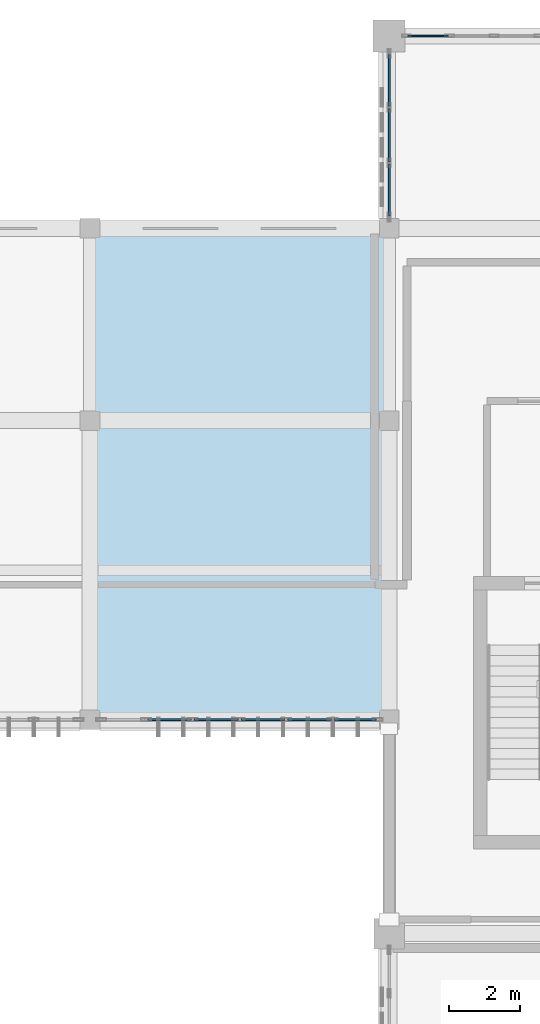
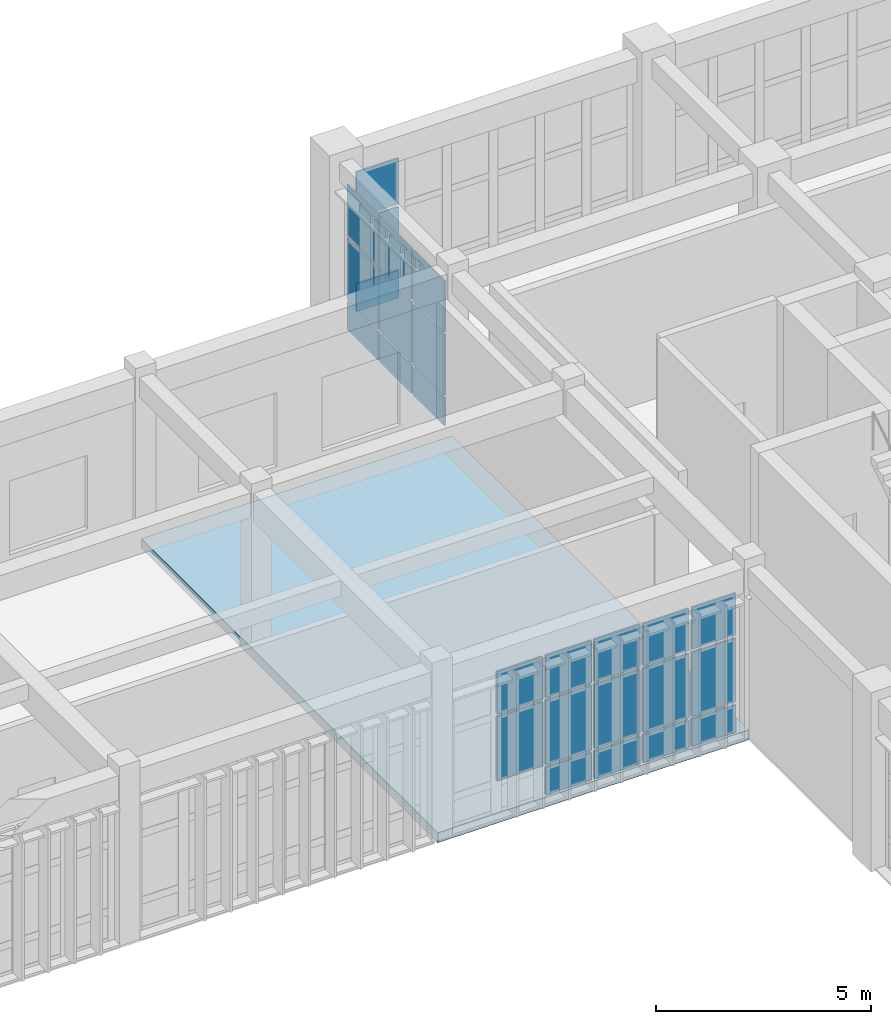
# One storey, part 76 of 106: 26 plates, 1 slab, 3 elements without a shape of their own.
"""IFC4 building model written with IfcOpenShell, lengths in metres."""

from ifc_helpers import new_model, si_unit, direction, frame, origin, origin_2d, place, context, subcontext, project, spatial, polyline, rectangle, outline, extrude, material, layer, layer_set, type_object, element, aggregate, save


model = new_model("IFC4")

# Units and contexts
model_context = context("Model", 3, precision=1e-05, world=origin(), true_north=direction((0.0, 1.0)))
body_context = subcontext(model_context, "Body", "Model", "MODEL_VIEW")
ifc_project = project(units=[si_unit("LENGTHUNIT", "METRE"), si_unit("AREAUNIT", "SQUARE_METRE"), si_unit("VOLUMEUNIT", "CUBIC_METRE"), si_unit("PLANEANGLEUNIT", "RADIAN"), si_unit("MASSUNIT", "GRAM", prefix="KILO")], contexts=[model_context])

# Site, building, storey
site_placement = place(None, origin())
site = spatial("IfcSite", under=ifc_project, at=site_placement, CompositionType="ELEMENT")
building_placement = place(site_placement, origin())
building = spatial("IfcBuilding", under=site, at=building_placement, Name="Krzemoval Escarpment Law Courts", CompositionType="ELEMENT")
storey_placement = place(building_placement, frame((0.0, 0.0, 5.10009765625)))
storey = spatial("IfcBuildingStorey", under=building, at=storey_placement, Name="L01", CompositionType="ELEMENT", Elevation=5.10009765625)

# Curtain wall, plates
ifc_material_1 = material(Name="Aluminium 6063-T6", Category="aluminium")
ifc_layer_1 = layer(ifc_material_1, 0.239990234375)
ifc_layer_set_1 = layer_set([ifc_layer_1], Name="Aluminium 6063-T6")
curtain_wall_type_1 = type_object("IfcCurtainWallType", Name="CW-CHMB-4800", PredefinedType="USERDEFINED", material=ifc_layer_set_1)
curtain_wall_1_placement = place(storey_placement, origin())
curtain_wall_1 = element("IfcCurtainWall", 1, at=curtain_wall_1_placement, inside=storey, type_object=curtain_wall_type_1, Name="Unitised Curtain Wall FCW-L01-031", ObjectType="UNITISED_CURTAIN_WALL", PredefinedType="USERDEFINED")
ifc_material_2 = material(Name="Triple Glazing IGU", Category="glass")
ifc_layer_2 = layer(ifc_material_2, 0.048095703125)
ifc_layer_set_2 = layer_set([ifc_layer_2], Name="Triple Glazing IGU")
plate_type_1 = type_object("IfcPlateType", Name="CWP-GLZ-48", PredefinedType="CURTAIN_PANEL", material=ifc_layer_set_2)
plate_1_placement = place(storey_placement, frame((126.0, 114.472900390625, 0.074951171875), z_axis=(0.0, 0.0, 1.0), x_axis=(0.0, 1.0, 0.0)))
plate_1 = element("IfcPlate", 2, at=plate_1_placement, type_object=plate_type_1, Name="FCW-L01-031 panel 1.1", PredefinedType="CURTAIN_PANEL", context=body_context, shape_type="SweptSolid", body=[
    extrude(rectangle(XDim=1.44580078125, YDim=0.048095703125, at=origin_2d()), origin(), (0.0, 0.0, 1.0), 0.78759765625),
])
plate_2_placement = place(storey_placement, frame((126.0, 114.472900390625, 0.937255859375), z_axis=(0.0, 0.0, 1.0), x_axis=(0.0, 1.0, 0.0)))
plate_2 = element("IfcPlate", 3, at=plate_2_placement, type_object=plate_type_1, Name="FCW-L01-031 panel 1.2", PredefinedType="CURTAIN_PANEL", context=body_context, shape_type="SweptSolid", body=[
    extrude(rectangle(XDim=1.44580078125, YDim=0.048095703125, at=origin_2d()), origin(), (0.0, 0.0, 1.0), 1.72509765625),
])
plate_3_placement = place(storey_placement, frame((126.0, 114.472900390625, 2.7373046875), z_axis=(0.0, 0.0, 1.0), x_axis=(0.0, 1.0, 0.0)))
plate_3 = element("IfcPlate", 4, at=plate_3_placement, type_object=plate_type_1, Name="FCW-L01-031 panel 1.3", PredefinedType="CURTAIN_PANEL", context=body_context, shape_type="SweptSolid", body=[
    extrude(rectangle(XDim=1.44580078125, YDim=0.048095703125, at=origin_2d()), origin(), (0.0, 0.0, 1.0), 1.45751953125),
])
plate_4_placement = place(storey_placement, frame((126.0, 116.012451171875, 0.074951171875), z_axis=(0.0, 0.0, 1.0), x_axis=(0.0, 1.0, 0.0)))
plate_4 = element("IfcPlate", 5, at=plate_4_placement, type_object=plate_type_1, Name="FCW-L01-031 panel 2.1", PredefinedType="CURTAIN_PANEL", context=body_context, shape_type="SweptSolid", body=[
    extrude(rectangle(XDim=1.4833984375, YDim=0.048095703125, at=origin_2d()), origin(), (0.0, 0.0, 1.0), 0.78759765625),
])
plate_5_placement = place(storey_placement, frame((126.0, 116.012451171875, 0.937255859375), z_axis=(0.0, 0.0, 1.0), x_axis=(0.0, 1.0, 0.0)))
plate_5 = element("IfcPlate", 6, at=plate_5_placement, type_object=plate_type_1, Name="FCW-L01-031 panel 2.2", PredefinedType="CURTAIN_PANEL", context=body_context, shape_type="SweptSolid", body=[
    extrude(rectangle(XDim=1.4833984375, YDim=0.048095703125, at=origin_2d()), origin(), (0.0, 0.0, 1.0), 1.72509765625),
])
plate_6_placement = place(storey_placement, frame((126.0, 116.012451171875, 2.7373046875), z_axis=(0.0, 0.0, 1.0), x_axis=(0.0, 1.0, 0.0)))
plate_6 = element("IfcPlate", 7, at=plate_6_placement, type_object=plate_type_1, Name="FCW-L01-031 panel 2.3", PredefinedType="CURTAIN_PANEL", context=body_context, shape_type="SweptSolid", body=[
    extrude(rectangle(XDim=1.4833984375, YDim=0.048095703125, at=origin_2d()), origin(), (0.0, 0.0, 1.0), 1.45751953125),
])
plate_7_placement = place(storey_placement, frame((126.0, 117.552001953125, 0.074951171875), z_axis=(0.0, 0.0, 1.0), x_axis=(0.0, 1.0, 0.0)))
plate_7 = element("IfcPlate", 8, at=plate_7_placement, type_object=plate_type_1, Name="FCW-L01-031 panel 3.1", PredefinedType="CURTAIN_PANEL", context=body_context, shape_type="SweptSolid", body=[
    extrude(rectangle(XDim=1.44580078125, YDim=0.048095703125, at=origin_2d()), origin(), (0.0, 0.0, 1.0), 0.78759765625),
])
plate_8_placement = place(storey_placement, frame((126.0, 117.552001953125, 0.937255859375), z_axis=(0.0, 0.0, 1.0), x_axis=(0.0, 1.0, 0.0)))
plate_8 = element("IfcPlate", 9, at=plate_8_placement, type_object=plate_type_1, Name="FCW-L01-031 panel 3.2", PredefinedType="CURTAIN_PANEL", context=body_context, shape_type="SweptSolid", body=[
    extrude(rectangle(XDim=1.44580078125, YDim=0.048095703125, at=origin_2d()), origin(), (0.0, 0.0, 1.0), 1.72509765625),
])
plate_9_placement = place(storey_placement, frame((126.0, 117.552001953125, 2.7373046875), z_axis=(0.0, 0.0, 1.0), x_axis=(0.0, 1.0, 0.0)))
plate_9 = element("IfcPlate", 10, at=plate_9_placement, type_object=plate_type_1, Name="FCW-L01-031 panel 3.3", PredefinedType="CURTAIN_PANEL", context=body_context, shape_type="SweptSolid", body=[
    extrude(rectangle(XDim=1.44580078125, YDim=0.048095703125, at=origin_2d()), origin(), (0.0, 0.0, 1.0), 1.45751953125),
])
aggregate(curtain_wall_1, [plate_1, plate_2, plate_3, plate_4, plate_5, plate_6, plate_7, plate_8, plate_9])

curtain_wall_2_placement = place(storey_placement, origin())
curtain_wall_2 = element("IfcCurtainWall", 11, at=curtain_wall_2_placement, inside=storey, type_object=curtain_wall_type_1, Name="Unitised Curtain Wall FCW-L01-032", ObjectType="UNITISED_CURTAIN_WALL", PredefinedType="USERDEFINED")
plate_10_placement = place(storey_placement, frame((127.09375, 118.800048828125, 0.074951171875), z_axis=(0.0, 0.0, 1.0), x_axis=(1.0, 0.0, 0.0)))
plate_10 = element("IfcPlate", 12, at=plate_10_placement, type_object=plate_type_1, Name="FCW-L01-032 panel 1.1", PredefinedType="CURTAIN_PANEL", context=body_context, shape_type="SweptSolid", body=[
    extrude(rectangle(XDim=1.137451171875, YDim=0.048095703125, at=origin_2d()), origin(), (0.0, 0.0, 1.0), 0.78759765625),
])
plate_11_placement = place(storey_placement, frame((127.09375, 118.800048828125, 0.937255859375), z_axis=(0.0, 0.0, 1.0), x_axis=(1.0, 0.0, 0.0)))
plate_11 = element("IfcPlate", 13, at=plate_11_placement, type_object=plate_type_1, Name="FCW-L01-032 panel 1.2", PredefinedType="CURTAIN_PANEL", context=body_context, shape_type="SweptSolid", body=[
    extrude(rectangle(XDim=1.137451171875, YDim=0.048095703125, at=origin_2d()), origin(), (0.0, 0.0, 1.0), 1.72509765625),
])
plate_12_placement = place(storey_placement, frame((127.09375, 118.800048828125, 2.7373046875), z_axis=(0.0, 0.0, 1.0), x_axis=(1.0, 0.0, 0.0)))
plate_12 = element("IfcPlate", 14, at=plate_12_placement, type_object=plate_type_1, Name="FCW-L01-032 panel 1.3", PredefinedType="CURTAIN_PANEL", context=body_context, shape_type="SweptSolid", body=[
    extrude(rectangle(XDim=1.137451171875, YDim=0.048095703125, at=origin_2d()), origin(), (0.0, 0.0, 1.0), 1.3076171875),
])
aggregate(curtain_wall_2, [plate_10, plate_11, plate_12])

ifc_material_3 = material(Name="Aluminium 6063-T6", Category="aluminium")
ifc_layer_3 = layer(ifc_material_3, 0.280029296875)
ifc_layer_set_3 = layer_set([ifc_layer_3], Name="Aluminium 6063-T6")
curtain_wall_type_2 = type_object("IfcCurtainWallType", Name="CW-HALL-5100", PredefinedType="USERDEFINED", material=ifc_layer_set_3)
curtain_wall_3_placement = place(storey_placement, origin())
curtain_wall_3 = element("IfcCurtainWall", 15, at=curtain_wall_3_placement, inside=storey, type_object=curtain_wall_type_2, Name="Unitised Curtain Wall FCW-L01-046", ObjectType="UNITISED_CURTAIN_WALL", PredefinedType="USERDEFINED")
ifc_material_4 = material(Name="Triple Glazing IGU", Category="glass")
ifc_layer_4 = layer(ifc_material_4, 0.053955078125)
ifc_layer_set_4 = layer_set([ifc_layer_4], Name="Triple Glazing IGU")
plate_type_2 = type_object("IfcPlateType", Name="CWP-GLZ-54", PredefinedType="CURTAIN_PANEL", material=ifc_layer_set_4)
plate_13_placement = place(storey_placement, frame((125.049560546875, 99.60009765625, 0.0849609375), z_axis=(0.0, 0.0, 1.0), x_axis=(-1.0, 0.0, 0.0)))
plate_13 = element("IfcPlate", 16, at=plate_13_placement, type_object=plate_type_2, Name="FCW-L01-046 panel 1.1", PredefinedType="CURTAIN_PANEL", context=body_context, shape_type="SweptSolid", body=[
    extrude(rectangle(XDim=1.180908203125, YDim=0.053955078125, at=origin_2d()), origin(), (0.0, 0.0, 1.0), 0.7724609375),
])
plate_14_placement = place(storey_placement, frame((125.049560546875, 99.60009765625, 0.9423828125), z_axis=(0.0, 0.0, 1.0), x_axis=(-1.0, 0.0, 0.0)))
plate_14 = element("IfcPlate", 17, at=plate_14_placement, type_object=plate_type_2, Name="FCW-L01-046 panel 1.2", PredefinedType="CURTAIN_PANEL", context=body_context, shape_type="SweptSolid", body=[
    extrude(rectangle(XDim=1.180908203125, YDim=0.053955078125, at=origin_2d()), origin(), (0.0, 0.0, 1.0), 1.81494140625),
])
plate_15_placement = place(storey_placement, frame((125.049560546875, 99.60009765625, 2.842529296875), z_axis=(0.0, 0.0, 1.0), x_axis=(-1.0, 0.0, 0.0)))
plate_15 = element("IfcPlate", 18, at=plate_15_placement, type_object=plate_type_2, Name="FCW-L01-046 panel 1.3", PredefinedType="CURTAIN_PANEL", context=body_context, shape_type="SweptSolid", body=[
    extrude(rectangle(XDim=1.180908203125, YDim=0.053955078125, at=origin_2d()), origin(), (0.0, 0.0, 1.0), 1.1923828125),
])
plate_16_placement = place(storey_placement, frame((123.762451171875, 99.60009765625, 0.0849609375), z_axis=(0.0, 0.0, 1.0), x_axis=(-1.0, 0.0, 0.0)))
plate_16 = element("IfcPlate", 19, at=plate_16_placement, type_object=plate_type_2, Name="FCW-L01-046 panel 2.1", PredefinedType="CURTAIN_PANEL", context=body_context, shape_type="SweptSolid", body=[
    extrude(rectangle(XDim=1.223388671875, YDim=0.053955078125, at=origin_2d()), origin(), (0.0, 0.0, 1.0), 0.7724609375),
])
plate_17_placement = place(storey_placement, frame((123.762451171875, 99.60009765625, 0.9423828125), z_axis=(0.0, 0.0, 1.0), x_axis=(-1.0, 0.0, 0.0)))
plate_17 = element("IfcPlate", 20, at=plate_17_placement, type_object=plate_type_2, Name="FCW-L01-046 panel 2.2", PredefinedType="CURTAIN_PANEL", context=body_context, shape_type="SweptSolid", body=[
    extrude(rectangle(XDim=1.223388671875, YDim=0.053955078125, at=origin_2d()), origin(), (0.0, 0.0, 1.0), 1.81494140625),
])
plate_18_placement = place(storey_placement, frame((123.762451171875, 99.60009765625, 2.842529296875), z_axis=(0.0, 0.0, 1.0), x_axis=(-1.0, 0.0, 0.0)))
plate_18 = element("IfcPlate", 21, at=plate_18_placement, type_object=plate_type_2, Name="FCW-L01-046 panel 2.3", PredefinedType="CURTAIN_PANEL", context=body_context, shape_type="SweptSolid", body=[
    extrude(rectangle(XDim=1.223388671875, YDim=0.053955078125, at=origin_2d()), origin(), (0.0, 0.0, 1.0), 1.1923828125),
])
plate_19_placement = place(storey_placement, frame((122.4541015625, 99.60009765625, 0.0849609375), z_axis=(0.0, 0.0, 1.0), x_axis=(-1.0, 0.0, 0.0)))
plate_19 = element("IfcPlate", 22, at=plate_19_placement, type_object=plate_type_2, Name="FCW-L01-046 panel 3.1", PredefinedType="CURTAIN_PANEL", context=body_context, shape_type="SweptSolid", body=[
    extrude(rectangle(XDim=1.223388671875, YDim=0.053955078125, at=origin_2d()), origin(), (0.0, 0.0, 1.0), 0.7724609375),
])
plate_20_placement = place(storey_placement, frame((122.4541015625, 99.60009765625, 0.9423828125), z_axis=(0.0, 0.0, 1.0), x_axis=(-1.0, 0.0, 0.0)))
plate_20 = element("IfcPlate", 23, at=plate_20_placement, type_object=plate_type_2, Name="FCW-L01-046 panel 3.2", PredefinedType="CURTAIN_PANEL", context=body_context, shape_type="SweptSolid", body=[
    extrude(rectangle(XDim=1.223388671875, YDim=0.053955078125, at=origin_2d()), origin(), (0.0, 0.0, 1.0), 1.81494140625),
])
plate_21_placement = place(storey_placement, frame((122.4541015625, 99.60009765625, 2.842529296875), z_axis=(0.0, 0.0, 1.0), x_axis=(-1.0, 0.0, 0.0)))
plate_21 = element("IfcPlate", 24, at=plate_21_placement, type_object=plate_type_2, Name="FCW-L01-046 panel 3.3", PredefinedType="CURTAIN_PANEL", context=body_context, shape_type="SweptSolid", body=[
    extrude(rectangle(XDim=1.223388671875, YDim=0.053955078125, at=origin_2d()), origin(), (0.0, 0.0, 1.0), 1.1923828125),
])
plate_22_placement = place(storey_placement, frame((121.145751953125, 99.60009765625, 0.0849609375), z_axis=(0.0, 0.0, 1.0), x_axis=(-1.0, 0.0, 0.0)))
plate_22 = element("IfcPlate", 25, at=plate_22_placement, type_object=plate_type_2, Name="FCW-L01-046 panel 4.1", PredefinedType="CURTAIN_PANEL", context=body_context, shape_type="SweptSolid", body=[
    extrude(rectangle(XDim=1.223388671875, YDim=0.053955078125, at=origin_2d()), origin(), (0.0, 0.0, 1.0), 0.7724609375),
])
plate_23_placement = place(storey_placement, frame((121.145751953125, 99.60009765625, 0.9423828125), z_axis=(0.0, 0.0, 1.0), x_axis=(-1.0, 0.0, 0.0)))
plate_23 = element("IfcPlate", 26, at=plate_23_placement, type_object=plate_type_2, Name="FCW-L01-046 panel 4.2", PredefinedType="CURTAIN_PANEL", context=body_context, shape_type="SweptSolid", body=[
    extrude(rectangle(XDim=1.223388671875, YDim=0.053955078125, at=origin_2d()), origin(), (0.0, 0.0, 1.0), 1.81494140625),
])
plate_24_placement = place(storey_placement, frame((121.145751953125, 99.60009765625, 2.842529296875), z_axis=(0.0, 0.0, 1.0), x_axis=(-1.0, 0.0, 0.0)))
plate_24 = element("IfcPlate", 27, at=plate_24_placement, type_object=plate_type_2, Name="FCW-L01-046 panel 4.3", PredefinedType="CURTAIN_PANEL", context=body_context, shape_type="SweptSolid", body=[
    extrude(rectangle(XDim=1.223388671875, YDim=0.053955078125, at=origin_2d()), origin(), (0.0, 0.0, 1.0), 1.1923828125),
])
plate_25_placement = place(storey_placement, frame((119.83740234375, 99.60009765625, 0.9423828125), z_axis=(0.0, 0.0, 1.0), x_axis=(-1.0, 0.0, 0.0)))
plate_25 = element("IfcPlate", 28, at=plate_25_placement, type_object=plate_type_2, Name="FCW-L01-046 panel 5.2", PredefinedType="CURTAIN_PANEL", context=body_context, shape_type="SweptSolid", body=[
    extrude(rectangle(XDim=1.223388671875, YDim=0.053955078125, at=origin_2d()), origin(), (0.0, 0.0, 1.0), 1.81494140625),
])
plate_26_placement = place(storey_placement, frame((119.83740234375, 99.60009765625, 2.842529296875), z_axis=(0.0, 0.0, 1.0), x_axis=(-1.0, 0.0, 0.0)))
plate_26 = element("IfcPlate", 29, at=plate_26_placement, type_object=plate_type_2, Name="FCW-L01-046 panel 5.3", PredefinedType="CURTAIN_PANEL", context=body_context, shape_type="SweptSolid", body=[
    extrude(rectangle(XDim=1.223388671875, YDim=0.053955078125, at=origin_2d()), origin(), (0.0, 0.0, 1.0), 1.1923828125),
])
aggregate(curtain_wall_3, [plate_13, plate_14, plate_15, plate_16, plate_17, plate_18, plate_19, plate_20, plate_21, plate_22, plate_23, plate_24, plate_25, plate_26])

# Slab
ifc_material_5 = material(Name="Concrete C50/60", Category="concrete")
ifc_layer_5 = layer(ifc_material_5, 0.280029296875)
ifc_layer_set_5 = layer_set([ifc_layer_5], Name="Concrete C50/60")
slab_type = type_object("IfcSlabType", Name="SL-PT-280", PredefinedType="FLOOR", material=ifc_layer_set_5)
slab_placement = place(storey_placement, frame((0.0, 0.0, -0.280029296875)))
element("IfcSlab", 30, at=slab_placement, inside=storey, type_object=slab_type, Name="Floor Slab SL-L01-V4-024", PredefinedType="FLOOR", context=body_context, shape_type="SweptSolid", body=[
    extrude(outline(polyline([(117.639892578125, 113.39990234375), (126.0, 113.39990234375), (126.0, 99.60009765625), (117.639892578125, 99.60009765625), (117.639892578125, 113.39990234375)])), origin(), (0.0, 0.0, 1.0), 0.280029296875),
])

save(model, "model.ifc")
